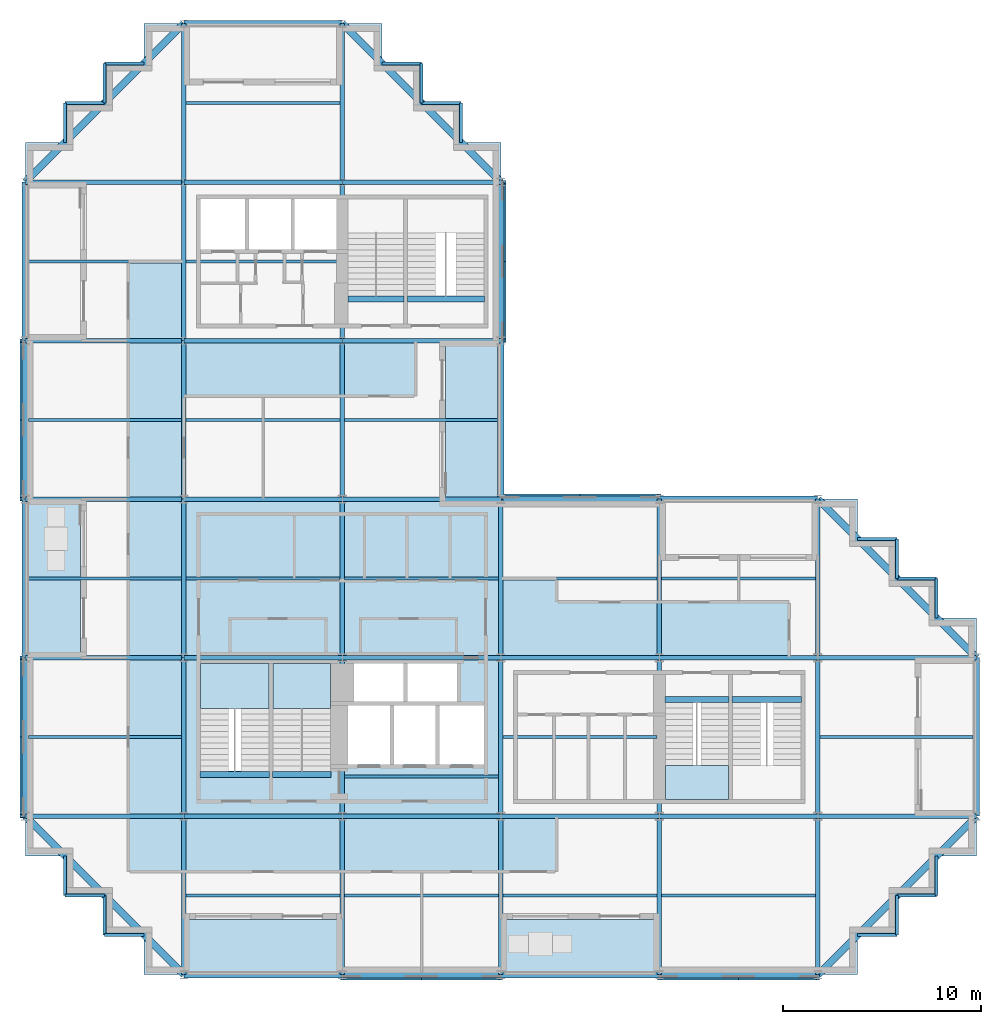
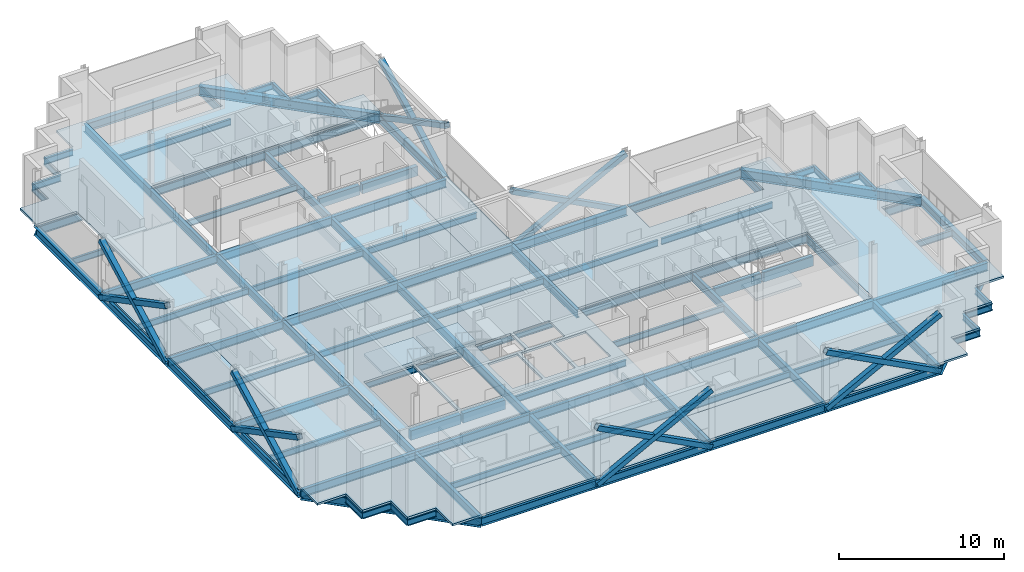
# One storey, part 3 of 11: 106 beams, 12 members, 9 slabs, 3 elements without a shape of their own.
"""IFC4 building model written with IfcOpenShell, lengths in metres."""

from ifc_helpers import new_model, si_unit, direction, frame, origin, origin_2d, place, context, subcontext, project, spatial, polyline, rectangle, hollow_rectangle, i_section, outline, extrude, material, layer, layer_set, material_profile, profile_set, type_object, element, aggregate, save


model = new_model("IFC4")

# Units and contexts
model_context = context("Model", 3, precision=1e-05, world=origin(), true_north=direction((0.0, 1.0)))
body_context = subcontext(model_context, "Body", "Model", "MODEL_VIEW")
ifc_project = project(units=[si_unit("LENGTHUNIT", "METRE"), si_unit("AREAUNIT", "SQUARE_METRE"), si_unit("VOLUMEUNIT", "CUBIC_METRE"), si_unit("PLANEANGLEUNIT", "RADIAN"), si_unit("MASSUNIT", "GRAM", prefix="KILO")], contexts=[model_context])

# Site, building, storey
site_placement = place(None, origin())
site = spatial("IfcSite", under=ifc_project, at=site_placement, CompositionType="ELEMENT")
building_placement = place(site_placement, origin())
building = spatial("IfcBuilding", under=site, at=building_placement, Name="Immortelle Media Tower", CompositionType="ELEMENT")
storey_placement = place(building_placement, frame((0.0, 0.0, 157.800048828125)))
storey = spatial("IfcBuildingStorey", under=building, at=storey_placement, Name="L32", CompositionType="ELEMENT", Elevation=157.800048828125)

# Members
ifc_material_1 = material(Name="Steel ASTM A500 Gr C", Category="steel")
ifc_material_profile_1 = material_profile(ifc_material_1, hollow_rectangle(XDim=0.35595703125, YDim=0.35595703125, WallThickness=0.011962890625, at=origin_2d()), Name="HSS14x14x1/2 brace")
ifc_profile_set_1 = profile_set([ifc_material_profile_1], Name="Steel ASTM A500 Gr C")
member_type = type_object("IfcMemberType", Name="HSS14x14x1/2 brace", PredefinedType="BRACE", material=ifc_profile_set_1)
for number, where, z_axis, x_axis, name in (
    (1, (16.0, -0.087890625, -0.4560546875), (0.885400126936, 0.0, 0.464829662588), (0.0, 1.0, 0.0), "Brace A/3-4 A"),
    (2, (16.0, -0.087890625, 3.743896484375), (0.885400126936, 0.0, -0.464829662588), (0.0, 1.0, 0.0), "Brace A/3-4 B"),
    (3, (32.0, -0.087890625, -0.4560546875), (0.885400126936, 0.0, 0.464829662588), (0.0, 1.0, 0.0), "Brace A/5-6 A"),
    (4, (32.0, -0.087890625, 3.743896484375), (0.885400126936, 0.0, -0.464829662588), (0.0, 1.0, 0.0), "Brace A/5-6 B"),
    (5, (32.0, 24.087890625, -0.4560546875), (-0.885400126936, 0.0, 0.464829662588), (0.0, -1.0, 0.0), "Brace D/4-5 A"),
    (6, (32.0, 24.087890625, 3.743896484375), (-0.885400126936, 0.0, -0.464829662588), (0.0, -1.0, 0.0), "Brace D/4-5 B"),
    (7, (24.087890625, 32.0, -0.4560546875), (0.0, 0.885400126936, 0.464829662588), (-1.0, 0.0, 0.0), "Brace 4/E-F A"),
    (8, (24.087890625, 32.0, 3.743896484375), (0.0, 0.885400126936, -0.464829662588), (-1.0, 0.0, 0.0), "Brace 4/E-F B"),
    (9, (-0.087890625, 32.0, -0.4560546875), (0.0, -0.885400126936, 0.464829662588), (1.0, 0.0, 0.0), "Brace 1/D-E A"),
    (10, (-0.087890625, 32.0, 3.743896484375), (0.0, -0.885400126936, -0.464829662588), (1.0, 0.0, 0.0), "Brace 1/D-E B"),
    (11, (-0.087890625, 16.0, -0.4560546875), (0.0, -0.885400126936, 0.464829662588), (1.0, 0.0, 0.0), "Brace 1/B-C A"),
    (12, (-0.087890625, 16.0, 3.743896484375), (0.0, -0.885400126936, -0.464829662588), (1.0, 0.0, 0.0), "Brace 1/B-C B"),
):
    element("IfcMember", number, at=place(storey_placement, frame(where, z_axis=z_axis, x_axis=x_axis)), inside=storey, type_object=member_type, Name=name, PredefinedType="BRACE", context=body_context, shape_type="SweptSolid", body=[
        extrude(hollow_rectangle(XDim=0.35595703125, YDim=0.35595703125, WallThickness=0.011962890625, at=origin_2d()), origin(), (0.0, 0.0, 1.0), 9.035400390625),
    ])

# Beams
ifc_material_2 = material(Name="Concrete C50/60", Category="concrete")
ifc_material_profile_2 = material_profile(ifc_material_2, rectangle(XDim=0.300048828125, YDim=0.699951171875, at=origin_2d()), Name="RC 300x700")
ifc_profile_set_2 = profile_set([ifc_material_profile_2], Name="Concrete C50/60")
beam_type_1 = type_object("IfcBeamType", Name="Stair trimmer beam 300 x 700", PredefinedType="BEAM", material=ifc_profile_set_2)
beam_1_placement = place(storey_placement, frame((8.830078125, 10.10498046875, -0.5), z_axis=(1.0, 0.0, 0.0), x_axis=(0.0, 1.0, 0.0)))
element("IfcBeam", 13, at=beam_1_placement, inside=storey, type_object=beam_type_1, Name="Stair trimmer beam SW1", PredefinedType="BEAM", context=body_context, shape_type="SweptSolid", body=[
    extrude(rectangle(XDim=0.300048828125, YDim=0.699951171875, at=origin_2d()), origin(), (0.0, 0.0, 1.0), 3.489990234375),
])
beam_2_placement = place(storey_placement, frame((12.47998046875, 10.10498046875, -0.5), z_axis=(1.0, 0.0, 0.0), x_axis=(0.0, 1.0, 0.0)))
element("IfcBeam", 14, at=beam_2_placement, inside=storey, type_object=beam_type_1, Name="Stair trimmer beam SW2", PredefinedType="BEAM", context=body_context, shape_type="SweptSolid", body=[
    extrude(rectangle(XDim=0.300048828125, YDim=0.699951171875, at=origin_2d()), origin(), (0.0, 0.0, 1.0), 2.93994140625),
])
beam_3_placement = place(storey_placement, frame((32.280029296875, 13.89501953125, -0.5), z_axis=(1.0, 0.0, 0.0), x_axis=(0.0, 1.0, 0.0)))
element("IfcBeam", 15, at=beam_3_placement, inside=storey, type_object=beam_type_1, Name="Stair trimmer beam SE1", PredefinedType="BEAM", context=body_context, shape_type="SweptSolid", body=[
    extrude(rectangle(XDim=0.300048828125, YDim=0.699951171875, at=origin_2d()), origin(), (0.0, 0.0, 1.0), 3.239990234375),
])
beam_4_placement = place(storey_placement, frame((35.679931640625, 13.89501953125, -0.5), z_axis=(1.0, 0.0, 0.0), x_axis=(0.0, 1.0, 0.0)))
element("IfcBeam", 16, at=beam_4_placement, inside=storey, type_object=beam_type_1, Name="Stair trimmer beam SE2", PredefinedType="BEAM", context=body_context, shape_type="SweptSolid", body=[
    extrude(rectangle(XDim=0.300048828125, YDim=0.699951171875, at=origin_2d()), origin(), (0.0, 0.0, 1.0), 3.489990234375),
])
beam_5_placement = place(storey_placement, frame((16.280029296875, 34.10498046875, -0.5), z_axis=(1.0, 0.0, 0.0), x_axis=(0.0, 1.0, 0.0)))
element("IfcBeam", 17, at=beam_5_placement, inside=storey, type_object=beam_type_1, Name="Stair trimmer beam NW1", PredefinedType="BEAM", context=body_context, shape_type="SweptSolid", body=[
    extrude(rectangle(XDim=0.300048828125, YDim=0.699951171875, at=origin_2d()), origin(), (0.0, 0.0, 1.0), 2.840087890625),
])
beam_6_placement = place(storey_placement, frame((19.280029296875, 34.10498046875, -0.5), z_axis=(1.0, 0.0, 0.0), x_axis=(0.0, 1.0, 0.0)))
element("IfcBeam", 18, at=beam_6_placement, inside=storey, type_object=beam_type_1, Name="Stair trimmer beam NW2", PredefinedType="BEAM", context=body_context, shape_type="SweptSolid", body=[
    extrude(rectangle(XDim=0.300048828125, YDim=0.699951171875, at=origin_2d()), origin(), (0.0, 0.0, 1.0), 3.889892578125),
])
ifc_material_3 = material(Name="Steel ASTM A992 Gr 50", Category="steel")
ifc_material_profile_3 = material_profile(ifc_material_3, i_section(OverallWidth=0.153076171875, OverallDepth=0.455078125, WebThickness=0.008056640625, FlangeThickness=0.012939453125, at=origin_2d()), Name="W18x40")
ifc_profile_set_3 = profile_set([ifc_material_profile_3], Name="Steel ASTM A992 Gr 50")
beam_type_2 = type_object("IfcBeamType", Name="W18x40 secondary beam", PredefinedType="JOIST", material=ifc_profile_set_3)
for number, where, z_axis, x_axis, name in (
    (19, (8.114013671875, 4.0, -0.37744140625), (1.0, 0.0, 0.0), (0.0, 1.0, 0.0), "Beam A-B/2-3"),
    (20, (16.114013671875, 4.0, -0.37744140625), (1.0, 0.0, 0.0), (0.0, 1.0, 0.0), "Beam A-B/3-4"),
    (21, (24.114013671875, 4.0, -0.37744140625), (1.0, 0.0, 0.0), (0.0, 1.0, 0.0), "Beam A-B/4-5"),
    (22, (32.114013671875, 4.0, -0.37744140625), (1.0, 0.0, 0.0), (0.0, 1.0, 0.0), "Beam A-B/5-6"),
):
    element("IfcBeam", number, at=place(storey_placement, frame(where, z_axis=z_axis, x_axis=x_axis)), inside=storey, type_object=beam_type_2, Name=name, PredefinedType="JOIST", context=body_context, shape_type="SweptSolid", body=[
        extrude(i_section(OverallWidth=0.153076171875, OverallDepth=0.455078125, WebThickness=0.008056640625, FlangeThickness=0.012939453125, at=origin_2d()), origin(), (0.0, 0.0, 1.0), 7.77197265625),
    ])
beam_7_placement = place(storey_placement, frame((0.162109375, 12.0, -0.37744140625), z_axis=(1.0, 0.0, 0.0), x_axis=(0.0, 1.0, 0.0)))
element("IfcBeam", 23, at=beam_7_placement, inside=storey, type_object=beam_type_2, Name="Beam B-C/1-2", PredefinedType="JOIST", context=body_context, shape_type="SweptSolid", body=[
    extrude(i_section(OverallWidth=0.153076171875, OverallDepth=0.455078125, WebThickness=0.008056640625, FlangeThickness=0.012939453125, at=origin_2d()), origin(), (0.0, 0.0, 1.0), 7.723876953125),
])
for number, where, z_axis, x_axis, name in (
    (24, (16.114013671875, 10.0, -0.37744140625), (1.0, 0.0, 0.0), (0.0, 1.0, 0.0), "Beam B-C/3-4"),
    (25, (24.114013671875, 12.0, -0.37744140625), (1.0, 0.0, 0.0), (0.0, 1.0, 0.0), "Beam B-C/4-5"),
):
    element("IfcBeam", number, at=place(storey_placement, frame(where, z_axis=z_axis, x_axis=x_axis)), inside=storey, type_object=beam_type_2, Name=name, PredefinedType="JOIST", context=body_context, shape_type="SweptSolid", body=[
        extrude(i_section(OverallWidth=0.153076171875, OverallDepth=0.455078125, WebThickness=0.008056640625, FlangeThickness=0.012939453125, at=origin_2d()), origin(), (0.0, 0.0, 1.0), 7.77197265625),
    ])
for number, where, z_axis, x_axis, name in (
    (26, (40.114013671875, 12.0, -0.37744140625), (1.0, 0.0, 0.0), (0.0, 1.0, 0.0), "Beam B-C/6-7"),
    (27, (0.162109375, 20.0, -0.37744140625), (1.0, 0.0, 0.0), (0.0, 1.0, 0.0), "Beam C-D/1-2"),
):
    element("IfcBeam", number, at=place(storey_placement, frame(where, z_axis=z_axis, x_axis=x_axis)), inside=storey, type_object=beam_type_2, Name=name, PredefinedType="JOIST", context=body_context, shape_type="SweptSolid", body=[
        extrude(i_section(OverallWidth=0.153076171875, OverallDepth=0.455078125, WebThickness=0.008056640625, FlangeThickness=0.012939453125, at=origin_2d()), origin(), (0.0, 0.0, 1.0), 7.723876953125),
    ])
for number, where, z_axis, x_axis, name in (
    (28, (8.114013671875, 20.0, -0.37744140625), (1.0, 0.0, 0.0), (0.0, 1.0, 0.0), "Beam C-D/2-3"),
    (29, (16.114013671875, 20.0, -0.37744140625), (1.0, 0.0, 0.0), (0.0, 1.0, 0.0), "Beam C-D/3-4"),
    (30, (24.114013671875, 20.0, -0.37744140625), (1.0, 0.0, 0.0), (0.0, 1.0, 0.0), "Beam C-D/4-5"),
    (31, (32.114013671875, 20.0, -0.37744140625), (1.0, 0.0, 0.0), (0.0, 1.0, 0.0), "Beam C-D/5-6"),
):
    element("IfcBeam", number, at=place(storey_placement, frame(where, z_axis=z_axis, x_axis=x_axis)), inside=storey, type_object=beam_type_2, Name=name, PredefinedType="JOIST", context=body_context, shape_type="SweptSolid", body=[
        extrude(i_section(OverallWidth=0.153076171875, OverallDepth=0.455078125, WebThickness=0.008056640625, FlangeThickness=0.012939453125, at=origin_2d()), origin(), (0.0, 0.0, 1.0), 7.77197265625),
    ])
beam_8_placement = place(storey_placement, frame((0.162109375, 28.0, -0.37744140625), z_axis=(1.0, 0.0, 0.0), x_axis=(0.0, 1.0, 0.0)))
element("IfcBeam", 32, at=beam_8_placement, inside=storey, type_object=beam_type_2, Name="Beam D-E/1-2", PredefinedType="JOIST", context=body_context, shape_type="SweptSolid", body=[
    extrude(i_section(OverallWidth=0.153076171875, OverallDepth=0.455078125, WebThickness=0.008056640625, FlangeThickness=0.012939453125, at=origin_2d()), origin(), (0.0, 0.0, 1.0), 7.723876953125),
])
beam_9_placement = place(storey_placement, frame((8.114013671875, 28.0, -0.37744140625), z_axis=(1.0, 0.0, 0.0), x_axis=(0.0, 1.0, 0.0)))
element("IfcBeam", 33, at=beam_9_placement, inside=storey, type_object=beam_type_2, Name="Beam D-E/2-3", PredefinedType="JOIST", context=body_context, shape_type="SweptSolid", body=[
    extrude(i_section(OverallWidth=0.153076171875, OverallDepth=0.455078125, WebThickness=0.008056640625, FlangeThickness=0.012939453125, at=origin_2d()), origin(), (0.0, 0.0, 1.0), 7.77197265625),
])
for number, where, z_axis, x_axis, name in (
    (34, (16.114013671875, 28.0, -0.37744140625), (1.0, 0.0, 0.0), (0.0, 1.0, 0.0), "Beam D-E/3-4"),
    (35, (0.162109375, 36.0, -0.37744140625), (1.0, 0.0, 0.0), (0.0, 1.0, 0.0), "Beam E-F/1-2"),
):
    element("IfcBeam", number, at=place(storey_placement, frame(where, z_axis=z_axis, x_axis=x_axis)), inside=storey, type_object=beam_type_2, Name=name, PredefinedType="JOIST", context=body_context, shape_type="SweptSolid", body=[
        extrude(i_section(OverallWidth=0.153076171875, OverallDepth=0.455078125, WebThickness=0.008056640625, FlangeThickness=0.012939453125, at=origin_2d()), origin(), (0.0, 0.0, 1.0), 7.723876953125),
    ])
for number, where, z_axis, x_axis, name in (
    (36, (8.114013671875, 36.0, -0.37744140625), (1.0, 0.0, 0.0), (0.0, 1.0, 0.0), "Beam E-F/2-3"),
    (37, (8.114013671875, 44.0, -0.37744140625), (1.0, 0.0, 0.0), (0.0, 1.0, 0.0), "Beam F-G/2-3"),
):
    element("IfcBeam", number, at=place(storey_placement, frame(where, z_axis=z_axis, x_axis=x_axis)), inside=storey, type_object=beam_type_2, Name=name, PredefinedType="JOIST", context=body_context, shape_type="SweptSolid", body=[
        extrude(i_section(OverallWidth=0.153076171875, OverallDepth=0.455078125, WebThickness=0.008056640625, FlangeThickness=0.012939453125, at=origin_2d()), origin(), (0.0, 0.0, 1.0), 7.77197265625),
    ])
ifc_material_profile_4 = material_profile(ifc_material_3, i_section(OverallWidth=0.153076171875, OverallDepth=0.455078125, WebThickness=0.008056640625, FlangeThickness=0.012939453125, at=origin_2d()), Name="W18x40")
ifc_profile_set_4 = profile_set([ifc_material_profile_4], Name="Steel ASTM A992 Gr 50")
beam_type_3 = type_object("IfcBeamType", Name="W18x40 serration edge beam", PredefinedType="SPANDREL", material=ifc_profile_set_4)
for number, where, z_axis, x_axis, name in (
    (38, (6.0, 2.0, -0.37744140625), (-1.0, 0.0, 0.0), (0.0, -1.0, 0.0), "Corner edge beam 1 at 1/A"),
    (39, (4.0, 2.0, -0.37744140625), (0.0, 1.0, 0.0), (-1.0, 0.0, 0.0), "Corner edge beam 2 at 1/A"),
    (40, (4.0, 4.0, -0.37744140625), (-1.0, 0.0, 0.0), (0.0, -1.0, 0.0), "Corner edge beam 3 at 1/A"),
    (41, (2.0, 4.0, -0.37744140625), (0.0, 1.0, 0.0), (-1.0, 0.0, 0.0), "Corner edge beam 4 at 1/A"),
    (42, (2.0, 42.0, -0.37744140625), (0.0, 1.0, 0.0), (-1.0, 0.0, 0.0), "Corner edge beam 1 at 1/G"),
    (43, (2.0, 44.0, -0.37744140625), (1.0, 0.0, 0.0), (0.0, 1.0, 0.0), "Corner edge beam 2 at 1/G"),
    (44, (4.0, 44.0, -0.37744140625), (0.0, 1.0, 0.0), (-1.0, 0.0, 0.0), "Corner edge beam 3 at 1/G"),
    (45, (4.0, 46.0, -0.37744140625), (1.0, 0.0, 0.0), (0.0, 1.0, 0.0), "Corner edge beam 4 at 1/G"),
    (46, (18.0, 46.0, -0.37744140625), (1.0, 0.0, 0.0), (0.0, 1.0, 0.0), "Corner edge beam 1 at 4/G"),
    (47, (20.0, 46.0, -0.37744140625), (0.0, -1.0, 0.0), (1.0, 0.0, 0.0), "Corner edge beam 2 at 4/G"),
    (48, (20.0, 44.0, -0.37744140625), (1.0, 0.0, 0.0), (0.0, 1.0, 0.0), "Corner edge beam 3 at 4/G"),
    (49, (22.0, 44.0, -0.37744140625), (0.0, -1.0, 0.0), (1.0, 0.0, 0.0), "Corner edge beam 4 at 4/G"),
    (50, (46.0, 6.0, -0.37744140625), (0.0, -1.0, 0.0), (1.0, 0.0, 0.0), "Corner edge beam 1 at 7/A"),
    (51, (46.0, 4.0, -0.37744140625), (-1.0, 0.0, 0.0), (0.0, -1.0, 0.0), "Corner edge beam 2 at 7/A"),
    (52, (44.0, 4.0, -0.37744140625), (0.0, -1.0, 0.0), (1.0, 0.0, 0.0), "Corner edge beam 3 at 7/A"),
    (53, (44.0, 2.0, -0.37744140625), (-1.0, 0.0, 0.0), (0.0, -1.0, 0.0), "Corner edge beam 4 at 7/A"),
    (54, (42.0, 22.0, -0.37744140625), (1.0, 0.0, 0.0), (0.0, 1.0, 0.0), "Corner edge beam 1 at 7/D"),
    (55, (44.0, 22.0, -0.37744140625), (0.0, -1.0, 0.0), (1.0, 0.0, 0.0), "Corner edge beam 2 at 7/D"),
    (56, (44.0, 20.0, -0.37744140625), (1.0, 0.0, 0.0), (0.0, 1.0, 0.0), "Corner edge beam 3 at 7/D"),
    (57, (46.0, 20.0, -0.37744140625), (0.0, -1.0, 0.0), (1.0, 0.0, 0.0), "Corner edge beam 4 at 7/D"),
):
    element("IfcBeam", number, at=place(storey_placement, frame(where, z_axis=z_axis, x_axis=x_axis)), inside=storey, type_object=beam_type_3, Name=name, PredefinedType="SPANDREL", context=body_context, shape_type="SweptSolid", body=[
        extrude(i_section(OverallWidth=0.153076171875, OverallDepth=0.455078125, WebThickness=0.008056640625, FlangeThickness=0.012939453125, at=origin_2d()), origin(), (0.0, 0.0, 1.0), 2.0),
    ])
ifc_material_profile_5 = material_profile(ifc_material_3, i_section(OverallWidth=0.323974609375, OverallDepth=0.612060546875, WebThickness=0.012939453125, FlangeThickness=0.01904296875, at=origin_2d()), Name="W24x104")
ifc_profile_set_5 = profile_set([ifc_material_profile_5], Name="Steel ASTM A992 Gr 50")
beam_type_4 = type_object("IfcBeamType", Name="W24x104 perimeter girder", PredefinedType="SPANDREL", material=ifc_profile_set_5)
for number, where, z_axis, x_axis, name in (
    (58, (0.0, 8.0, -0.4560546875), (0.0, 1.0, 0.0), (-1.0, 0.0, 0.0), "Girder 1/B-C"),
    (59, (0.0, 16.0, -0.4560546875), (0.0, 1.0, 0.0), (-1.0, 0.0, 0.0), "Girder 1/C-D"),
    (60, (0.0, 24.0, -0.4560546875), (0.0, 1.0, 0.0), (-1.0, 0.0, 0.0), "Girder 1/D-E"),
    (61, (0.0, 32.0, -0.4560546875), (0.0, 1.0, 0.0), (-1.0, 0.0, 0.0), "Girder 1/E-F"),
    (62, (8.0, 0.0, -0.4560546875), (1.0, 0.0, 0.0), (0.0, 1.0, 0.0), "Girder A/2-3"),
    (63, (8.0, 48.0, -0.4560546875), (1.0, 0.0, 0.0), (0.0, 1.0, 0.0), "Girder G/2-3"),
    (64, (16.0, 0.0, -0.4560546875), (1.0, 0.0, 0.0), (0.0, 1.0, 0.0), "Girder A/3-4"),
    (65, (24.0, 0.0, -0.4560546875), (1.0, 0.0, 0.0), (0.0, 1.0, 0.0), "Girder A/4-5"),
    (66, (24.0, 24.0, -0.4560546875), (1.0, 0.0, 0.0), (0.0, 1.0, 0.0), "Girder D/4-5"),
    (67, (24.0, 24.0, -0.4560546875), (0.0, 1.0, 0.0), (-1.0, 0.0, 0.0), "Girder 4/D-E"),
    (68, (24.0, 32.0, -0.4560546875), (0.0, 1.0, 0.0), (-1.0, 0.0, 0.0), "Girder 4/E-F"),
    (69, (32.0, 0.0, -0.4560546875), (1.0, 0.0, 0.0), (0.0, 1.0, 0.0), "Girder A/5-6"),
    (70, (32.0, 24.0, -0.4560546875), (1.0, 0.0, 0.0), (0.0, 1.0, 0.0), "Girder D/5-6"),
    (71, (48.0, 8.0, -0.4560546875), (0.0, 1.0, 0.0), (-1.0, 0.0, 0.0), "Girder 7/B-C"),
):
    element("IfcBeam", number, at=place(storey_placement, frame(where, z_axis=z_axis, x_axis=x_axis)), inside=storey, type_object=beam_type_4, Name=name, PredefinedType="SPANDREL", context=body_context, shape_type="SweptSolid", body=[
        extrude(i_section(OverallWidth=0.323974609375, OverallDepth=0.612060546875, WebThickness=0.012939453125, FlangeThickness=0.01904296875, at=origin_2d()), origin(), (0.0, 0.0, 1.0), 8.0),
    ])
ifc_material_profile_6 = material_profile(ifc_material_3, i_section(OverallWidth=0.22802734375, OverallDepth=0.60205078125, WebThickness=0.010986328125, FlangeThickness=0.014892578125, at=origin_2d()), Name="W24x68")
ifc_profile_set_6 = profile_set([ifc_material_profile_6], Name="Steel ASTM A992 Gr 50")
beam_type_5 = type_object("IfcBeamType", Name="W24x68 girder", PredefinedType="BEAM", material=ifc_profile_set_6)
for number, where, z_axis, x_axis, name in (
    (72, (0.0, 8.0, -0.450927734375), (1.0, 0.0, 0.0), (0.0, 1.0, 0.0), "Girder B/1-2"),
    (73, (0.0, 16.0, -0.450927734375), (1.0, 0.0, 0.0), (0.0, 1.0, 0.0), "Girder C/1-2"),
    (74, (0.0, 24.0, -0.450927734375), (1.0, 0.0, 0.0), (0.0, 1.0, 0.0), "Girder D/1-2"),
    (75, (0.0, 32.0, -0.450927734375), (1.0, 0.0, 0.0), (0.0, 1.0, 0.0), "Girder E/1-2"),
    (76, (0.0, 40.0, -0.450927734375), (1.0, 0.0, 0.0), (0.0, 1.0, 0.0), "Girder F/1-2"),
    (77, (8.0, 0.0, -0.450927734375), (0.0, 1.0, 0.0), (-1.0, 0.0, 0.0), "Girder 2/A-B"),
    (78, (8.0, 8.0, -0.450927734375), (1.0, 0.0, 0.0), (0.0, 1.0, 0.0), "Girder B/2-3"),
    (79, (8.0, 8.0, -0.450927734375), (0.0, 1.0, 0.0), (-1.0, 0.0, 0.0), "Girder 2/B-C"),
    (80, (8.0, 16.0, -0.450927734375), (1.0, 0.0, 0.0), (0.0, 1.0, 0.0), "Girder C/2-3"),
    (81, (8.0, 16.0, -0.450927734375), (0.0, 1.0, 0.0), (-1.0, 0.0, 0.0), "Girder 2/C-D"),
    (82, (8.0, 24.0, -0.450927734375), (1.0, 0.0, 0.0), (0.0, 1.0, 0.0), "Girder D/2-3"),
    (83, (8.0, 24.0, -0.450927734375), (0.0, 1.0, 0.0), (-1.0, 0.0, 0.0), "Girder 2/D-E"),
    (84, (8.0, 32.0, -0.450927734375), (1.0, 0.0, 0.0), (0.0, 1.0, 0.0), "Girder E/2-3"),
    (85, (8.0, 32.0, -0.450927734375), (0.0, 1.0, 0.0), (-1.0, 0.0, 0.0), "Girder 2/E-F"),
    (86, (8.0, 40.0, -0.450927734375), (1.0, 0.0, 0.0), (0.0, 1.0, 0.0), "Girder F/2-3"),
    (87, (8.0, 40.0, -0.450927734375), (0.0, 1.0, 0.0), (-1.0, 0.0, 0.0), "Girder 2/F-G"),
    (88, (16.0, 0.0, -0.450927734375), (0.0, 1.0, 0.0), (-1.0, 0.0, 0.0), "Girder 3/A-B"),
    (89, (16.0, 8.0, -0.450927734375), (1.0, 0.0, 0.0), (0.0, 1.0, 0.0), "Girder B/3-4"),
    (90, (16.0, 8.0, -0.450927734375), (0.0, 1.0, 0.0), (-1.0, 0.0, 0.0), "Girder 3/B-C"),
    (91, (16.0, 16.0, -0.450927734375), (1.0, 0.0, 0.0), (0.0, 1.0, 0.0), "Girder C/3-4"),
    (92, (16.0, 16.0, -0.450927734375), (0.0, 1.0, 0.0), (-1.0, 0.0, 0.0), "Girder 3/C-D"),
    (93, (16.0, 24.0, -0.450927734375), (1.0, 0.0, 0.0), (0.0, 1.0, 0.0), "Girder D/3-4"),
    (94, (16.0, 24.0, -0.450927734375), (0.0, 1.0, 0.0), (-1.0, 0.0, 0.0), "Girder 3/D-E"),
    (95, (16.0, 32.0, -0.450927734375), (1.0, 0.0, 0.0), (0.0, 1.0, 0.0), "Girder E/3-4"),
    (96, (16.0, 32.0, -0.450927734375), (0.0, 1.0, 0.0), (-1.0, 0.0, 0.0), "Girder 3/E-F"),
    (97, (16.0, 40.0, -0.450927734375), (1.0, 0.0, 0.0), (0.0, 1.0, 0.0), "Girder F/3-4"),
    (98, (16.0, 40.0, -0.450927734375), (0.0, 1.0, 0.0), (-1.0, 0.0, 0.0), "Girder 3/F-G"),
    (99, (24.0, 0.0, -0.450927734375), (0.0, 1.0, 0.0), (-1.0, 0.0, 0.0), "Girder 4/A-B"),
    (100, (24.0, 8.0, -0.450927734375), (1.0, 0.0, 0.0), (0.0, 1.0, 0.0), "Girder B/4-5"),
    (101, (24.0, 8.0, -0.450927734375), (0.0, 1.0, 0.0), (-1.0, 0.0, 0.0), "Girder 4/B-C"),
    (102, (24.0, 16.0, -0.450927734375), (1.0, 0.0, 0.0), (0.0, 1.0, 0.0), "Girder C/4-5"),
    (103, (24.0, 16.0, -0.450927734375), (0.0, 1.0, 0.0), (-1.0, 0.0, 0.0), "Girder 4/C-D"),
    (104, (32.0, 0.0, -0.450927734375), (0.0, 1.0, 0.0), (-1.0, 0.0, 0.0), "Girder 5/A-B"),
    (105, (32.0, 8.0, -0.450927734375), (1.0, 0.0, 0.0), (0.0, 1.0, 0.0), "Girder B/5-6"),
    (106, (32.0, 8.0, -0.450927734375), (0.0, 1.0, 0.0), (-1.0, 0.0, 0.0), "Girder 5/B-C"),
    (107, (32.0, 16.0, -0.450927734375), (1.0, 0.0, 0.0), (0.0, 1.0, 0.0), "Girder C/5-6"),
    (108, (32.0, 16.0, -0.450927734375), (0.0, 1.0, 0.0), (-1.0, 0.0, 0.0), "Girder 5/C-D"),
    (109, (40.0, 0.0, -0.450927734375), (0.0, 1.0, 0.0), (-1.0, 0.0, 0.0), "Girder 6/A-B"),
    (110, (40.0, 8.0, -0.450927734375), (1.0, 0.0, 0.0), (0.0, 1.0, 0.0), "Girder B/6-7"),
    (111, (40.0, 8.0, -0.450927734375), (0.0, 1.0, 0.0), (-1.0, 0.0, 0.0), "Girder 6/B-C"),
    (112, (40.0, 16.0, -0.450927734375), (1.0, 0.0, 0.0), (0.0, 1.0, 0.0), "Girder C/6-7"),
    (113, (40.0, 16.0, -0.450927734375), (0.0, 1.0, 0.0), (-1.0, 0.0, 0.0), "Girder 6/C-D"),
):
    element("IfcBeam", number, at=place(storey_placement, frame(where, z_axis=z_axis, x_axis=x_axis)), inside=storey, type_object=beam_type_5, Name=name, PredefinedType="BEAM", context=body_context, shape_type="SweptSolid", body=[
        extrude(i_section(OverallWidth=0.22802734375, OverallDepth=0.60205078125, WebThickness=0.010986328125, FlangeThickness=0.014892578125, at=origin_2d()), origin(), (0.0, 0.0, 1.0), 8.0),
    ])
ifc_material_profile_7 = material_profile(ifc_material_3, i_section(OverallWidth=0.35595703125, OverallDepth=0.696044921875, WebThickness=0.014892578125, FlangeThickness=0.02490234375, at=origin_2d()), Name="W27x146")
ifc_profile_set_7 = profile_set([ifc_material_profile_7], Name="Steel ASTM A992 Gr 50")
beam_type_6 = type_object("IfcBeamType", Name="W27x146 corner girder", PredefinedType="SPANDREL", material=ifc_profile_set_7)
for number, where, z_axis, x_axis, name in (
    (114, (8.0, 0.0, -0.498046875), (-0.707106781187, 0.707106781187, 0.0), (-0.707106781187, -0.707106781187, 0.0), "Corner girder at 1/A"),
    (115, (0.0, 40.0, -0.498046875), (0.707106781187, 0.707106781187, 0.0), (-0.707106781187, 0.707106781187, 0.0), "Corner girder at 1/G"),
    (116, (16.0, 48.0, -0.498046875), (0.707106781187, -0.707106781187, 0.0), (0.707106781187, 0.707106781187, 0.0), "Corner girder at 4/G"),
    (117, (48.0, 8.0, -0.498046875), (-0.707106781187, -0.707106781187, 0.0), (0.707106781187, -0.707106781187, 0.0), "Corner girder at 7/A"),
    (118, (40.0, 24.0, -0.498046875), (0.707106781187, -0.707106781187, 0.0), (0.707106781187, 0.707106781187, 0.0), "Corner girder at 7/D"),
):
    element("IfcBeam", number, at=place(storey_placement, frame(where, z_axis=z_axis, x_axis=x_axis)), inside=storey, type_object=beam_type_6, Name=name, PredefinedType="SPANDREL", context=body_context, shape_type="SweptSolid", body=[
        extrude(i_section(OverallWidth=0.35595703125, OverallDepth=0.696044921875, WebThickness=0.014892578125, FlangeThickness=0.02490234375, at=origin_2d()), origin(), (0.0, 0.0, 1.0), 11.313720703125),
    ])

# Slabs
ifc_material_4 = material(Name="Concrete C50/60 composite deck", Category="concrete")
ifc_layer_1 = layer(ifc_material_4, 0.14990234375)
ifc_layer_set_1 = layer_set([ifc_layer_1], Name="Concrete C50/60 composite deck")
slab_type_1 = type_object("IfcSlabType", Name="Balcony slab 150", PredefinedType="FLOOR", material=ifc_layer_set_1)
slab_1_placement = place(storey_placement, frame((0.0, 0.0, -0.150146484375)))
element("IfcSlab", 119, at=slab_1_placement, inside=storey, type_object=slab_type_1, Name="Balcony slab L32 S0", PredefinedType="FLOOR", context=body_context, shape_type="SweptSolid", body=[
    extrude(outline(polyline([(16.0, 0.0), (16.0, 2.800048828125), (8.0, 2.800048828125), (8.0, 0.0), (16.0, 0.0)])), origin(), (0.0, 0.0, 1.0), 0.150146484375),
])
slab_2_placement = place(storey_placement, frame((0.0, 0.0, -0.150146484375)))
element("IfcSlab", 120, at=slab_2_placement, inside=storey, type_object=slab_type_1, Name="Balcony slab L32 S2", PredefinedType="FLOOR", context=body_context, shape_type="SweptSolid", body=[
    extrude(outline(polyline([(32.0, 0.0), (32.0, 2.800048828125), (24.0, 2.800048828125), (24.0, 0.0), (32.0, 0.0)])), origin(), (0.0, 0.0, 1.0), 0.150146484375),
])
slab_3_placement = place(storey_placement, frame((0.0, 0.0, -0.150146484375)))
element("IfcSlab", 121, at=slab_3_placement, inside=storey, type_object=slab_type_1, Name="Balcony slab L32 E0", PredefinedType="FLOOR", context=body_context, shape_type="SweptSolid", body=[
    extrude(outline(polyline([(24.0, 24.0), (24.0, 32.0), (21.199951171875, 32.0), (21.199951171875, 24.0), (24.0, 24.0)])), origin(), (0.0, 0.0, 1.0), 0.150146484375),
])
slab_4_placement = place(storey_placement, frame((0.0, 0.0, -0.150146484375)))
element("IfcSlab", 122, at=slab_4_placement, inside=storey, type_object=slab_type_1, Name="Balcony slab L32 W2", PredefinedType="FLOOR", context=body_context, shape_type="SweptSolid", body=[
    extrude(outline(polyline([(2.800048828125, 16.0), (2.800048828125, 24.0), (0.0, 24.0), (0.0, 16.0), (2.800048828125, 16.0)])), origin(), (0.0, 0.0, 1.0), 0.150146484375),
])
ifc_layer_2 = layer(ifc_material_2, 0.14990234375)
ifc_layer_set_2 = layer_set([ifc_layer_2], Name="Concrete C50/60")
slab_type_2 = type_object("IfcSlabType", Name="Composite floor slab 150", PredefinedType="FLOOR", material=ifc_layer_set_2)
slab_5_placement = place(storey_placement, frame((0.0, 0.0, -0.150146484375)))
element("IfcSlab", 123, at=slab_5_placement, inside=storey, type_object=slab_type_2, Name="Floor slab L32", PredefinedType="FLOOR", context=body_context, shape_type="SweptSolid", body=[
    extrude(outline(polyline([(6.0, 0.0), (6.0, 2.0), (4.0, 2.0), (4.0, 4.0), (2.0, 4.0), (2.0, 6.0), (0.0, 6.0), (0.0, 16.0), (2.800048828125, 16.0), (2.800048828125, 24.0), (0.0, 24.0), (0.0, 32.0), (2.800048828125, 32.0), (2.800048828125, 40.0), (0.0, 40.0), (0.0, 42.0), (2.0, 42.0), (2.0, 44.0), (4.0, 44.0), (4.0, 46.0), (6.0, 46.0), (6.0, 48.0), (8.0, 48.0), (8.0, 45.199951171875), (16.0, 45.199951171875), (16.0, 48.0), (18.0, 48.0), (18.0, 46.0), (20.0, 46.0), (20.0, 44.0), (22.0, 44.0), (22.0, 42.0), (24.0, 42.0), (24.0, 40.0), (8.0, 40.0), (8.0, 32.0), (21.199951171875, 32.0), (21.199951171875, 24.0), (8.0, 24.0), (8.0, 8.0), (24.0, 8.0), (40.0, 8.0), (40.0, 16.0), (24.0, 16.0), (24.0, 24.0), (32.0, 24.0), (32.0, 21.199951171875), (40.0, 21.199951171875), (40.0, 24.0), (42.0, 24.0), (42.0, 22.0), (44.0, 22.0), (44.0, 20.0), (46.0, 20.0), (46.0, 18.0), (48.0, 18.0), (48.0, 16.0), (45.199951171875, 16.0), (45.199951171875, 8.0), (48.0, 8.0), (48.0, 6.0), (46.0, 6.0), (46.0, 4.0), (44.0, 4.0), (44.0, 2.0), (42.0, 2.0), (42.0, 0.0), (32.0, 0.0), (32.0, 2.800048828125), (24.0, 2.800048828125), (24.0, 0.0), (16.0, 0.0), (16.0, 2.800048828125), (8.0, 2.800048828125), (8.0, 0.0), (6.0, 0.0)])), origin(), (0.0, 0.0, 1.0), 0.150146484375),
])
ifc_layer_3 = layer(ifc_material_2, 0.14990234375)
ifc_layer_set_3 = layer_set([ifc_layer_3], Name="Concrete C50/60")
slab_type_3 = type_object("IfcSlabType", Name="Core floor slab 150", PredefinedType="FLOOR", material=ifc_layer_set_3)
slab_6_placement = place(storey_placement, frame((0.0, 0.0, -0.150146484375)))
element("IfcSlab", 124, at=slab_6_placement, inside=storey, type_object=slab_type_3, Name="Core floor SW", PredefinedType="FLOOR", context=body_context, shape_type="SweptSolid", body=[
    extrude(outline(polyline([(8.0, 8.0), (24.0, 8.0), (24.0, 24.0), (8.0, 24.0), (8.0, 8.0)]), holes=[polyline([(16.60009765625, 13.800048828125), (19.10009765625, 13.800048828125), (19.10009765625, 15.699951171875), (16.60009765625, 15.699951171875), (16.60009765625, 13.800048828125)]), polyline([(19.300048828125, 13.800048828125), (21.800048828125, 13.800048828125), (21.800048828125, 15.699951171875), (19.300048828125, 15.699951171875), (19.300048828125, 13.800048828125)]), polyline([(16.300048828125, 10.60009765625), (18.39990234375, 10.60009765625), (18.39990234375, 13.60009765625), (16.300048828125, 13.60009765625), (16.300048828125, 10.60009765625)]), polyline([(18.60009765625, 10.60009765625), (20.699951171875, 10.60009765625), (20.699951171875, 13.60009765625), (18.60009765625, 13.60009765625), (18.60009765625, 10.60009765625)]), polyline([(20.89990234375, 10.60009765625), (23.14990234375, 10.60009765625), (23.14990234375, 13.60009765625), (20.89990234375, 13.60009765625), (20.89990234375, 10.60009765625)]), polyline([(8.85009765625, 10.27001953125), (12.300048828125, 10.27001953125), (12.300048828125, 15.699951171875), (8.85009765625, 15.699951171875), (8.85009765625, 10.27001953125)]), polyline([(12.5, 10.27001953125), (15.39990234375, 10.27001953125), (15.39990234375, 15.699951171875), (12.5, 15.699951171875), (12.5, 10.27001953125)])]), origin(), (0.0, 0.0, 1.0), 0.150146484375),
])

# Stair, slab
stair_type = type_object("IfcStairType", Name="Stair with flights", PredefinedType="DOUBLE_RETURN_STAIR", material=ifc_material_3)
stair_1_placement = place(storey_placement, origin())
stair_1 = element("IfcStair", 125, at=stair_1_placement, inside=storey, type_object=stair_type, Name="Exit stair SW1", PredefinedType="DOUBLE_RETURN_STAIR")
ifc_material_5 = material(Name="Steel ASTM A572 Gr 50", Category="steel")
ifc_layer_4 = layer(ifc_material_5, 0.199951171875)
ifc_layer_set_4 = layer_set([ifc_layer_4], Name="Steel ASTM A572 Gr 50")
slab_type_4 = type_object("IfcSlabType", Name="Stair landing 200", PredefinedType="LANDING", material=ifc_layer_set_4)
slab_7_placement = place(storey_placement, frame((0.0, 0.0, 1.89990234375)))
slab_7 = element("IfcSlab", 126, at=slab_7_placement, type_object=slab_type_4, Name="ST SW1 landing 1", PredefinedType="LANDING", context=body_context, shape_type="SweptSolid", body=[
    extrude(outline(polyline([(8.85009765625, 13.43994140625), (12.300048828125, 13.43994140625), (12.300048828125, 15.699951171875), (8.85009765625, 15.699951171875), (8.85009765625, 13.43994140625)])), origin(), (0.0, 0.0, 1.0), 0.199951171875),
])
aggregate(stair_1, [slab_7])

stair_2_placement = place(storey_placement, origin())
stair_2 = element("IfcStair", 127, at=stair_2_placement, inside=storey, type_object=stair_type, Name="Exit stair SW2", PredefinedType="DOUBLE_RETURN_STAIR")
slab_8_placement = place(storey_placement, frame((0.0, 0.0, 1.89990234375)))
slab_8 = element("IfcSlab", 128, at=slab_8_placement, type_object=slab_type_4, Name="ST SW2 landing 1", PredefinedType="LANDING", context=body_context, shape_type="SweptSolid", body=[
    extrude(outline(polyline([(12.5, 13.43994140625), (15.39990234375, 13.43994140625), (15.39990234375, 15.699951171875), (12.5, 15.699951171875), (12.5, 13.43994140625)])), origin(), (0.0, 0.0, 1.0), 0.199951171875),
])
aggregate(stair_2, [slab_8])

stair_3_placement = place(storey_placement, origin())
stair_3 = element("IfcStair", 129, at=stair_3_placement, inside=storey, type_object=stair_type, Name="Exit stair SE1", PredefinedType="DOUBLE_RETURN_STAIR")
slab_9_placement = place(storey_placement, frame((0.0, 0.0, 1.89990234375)))
slab_9 = element("IfcSlab", 130, at=slab_9_placement, type_object=slab_type_4, Name="ST SE1 landing 1", PredefinedType="LANDING", context=body_context, shape_type="SweptSolid", body=[
    extrude(outline(polyline([(32.300048828125, 8.85009765625), (35.5, 8.85009765625), (35.5, 10.56005859375), (32.300048828125, 10.56005859375), (32.300048828125, 8.85009765625)])), origin(), (0.0, 0.0, 1.0), 0.199951171875),
])
aggregate(stair_3, [slab_9])

save(model, "model.ifc")
